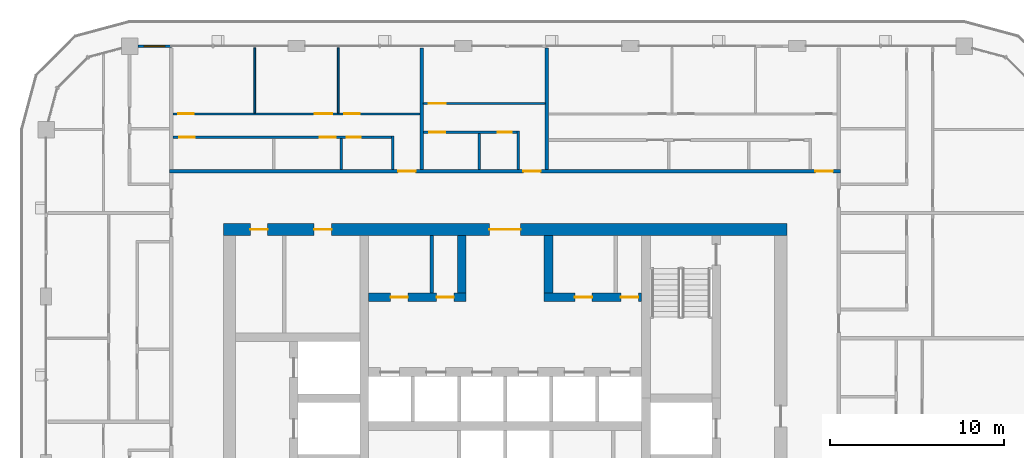
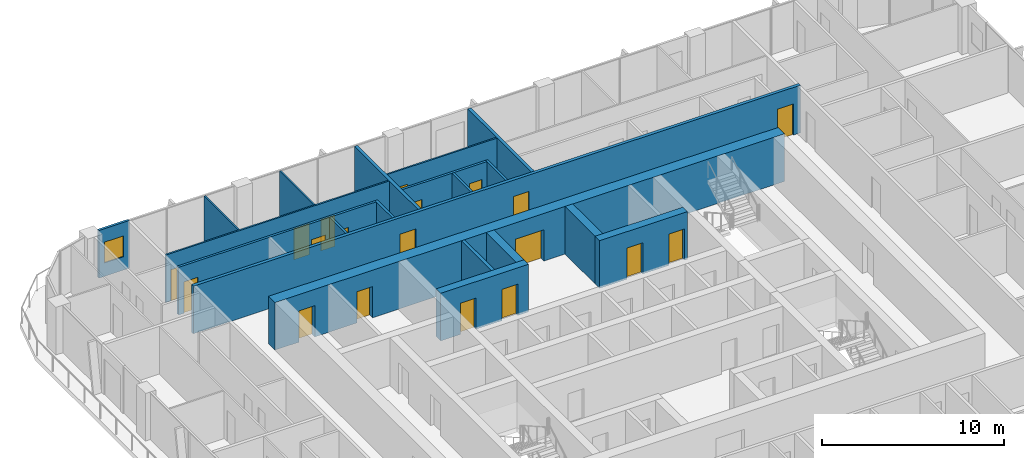
# One storey, part 14 of 22: 20 walls, 19 doors, 1 window, 20 openings.
"""IFC4 building model written with IfcOpenShell, lengths in metres."""

from ifc_helpers import new_model, si_unit, direction, frame, frame_2d, origin, place, context, subcontext, project, spatial, rectangle, extrude, material, layer, layer_set, type_object, element, fill, save


model = new_model("IFC4")

# Units and contexts
model_context = context("Model", 3, precision=1e-05, world=origin(), true_north=direction((0.0, 1.0)))
body_context = subcontext(model_context, "Body", "Model", "MODEL_VIEW")
ifc_project = project(units=[si_unit("LENGTHUNIT", "METRE"), si_unit("AREAUNIT", "SQUARE_METRE"), si_unit("VOLUMEUNIT", "CUBIC_METRE"), si_unit("PLANEANGLEUNIT", "RADIAN"), si_unit("MASSUNIT", "GRAM", prefix="KILO")], contexts=[model_context])

# Site, building, storey
site_placement = place(None, origin())
site = spatial("IfcSite", under=ifc_project, at=site_placement, CompositionType="ELEMENT")
building_placement = place(site_placement, origin())
building = spatial("IfcBuilding", under=site, at=building_placement, Name="Madar Terraces", CompositionType="ELEMENT")
storey_placement = place(building_placement, frame((0.0, 0.0, 182.39990234375)))
storey = spatial("IfcBuildingStorey", under=building, at=storey_placement, Name="L47", CompositionType="ELEMENT", Elevation=182.39990234375)

# Wall, openings, doors
ifc_material_1 = material(Name="Concrete C60/75", Category="concrete")
ifc_layer_1 = layer(ifc_material_1, 0.5)
ifc_layer_set_1 = layer_set([ifc_layer_1], Name="Concrete C60/75 (CIW4 RC wall 500)")
wall_type_1 = type_object("IfcWallType", Name="CIW4 RC wall 500", PredefinedType="SHEAR", material=ifc_layer_set_1)
wall_1_placement = place(storey_placement, frame((23.35009765625, 33.550048828125, 0.0), z_axis=(0.0, 0.0, 1.0), x_axis=(1.0, 0.0, 0.0)))
wall_1 = element("IfcWall", 1, at=wall_1_placement, inside=storey, type_object=wall_type_1, Name="CORE SHAFT WALL", PredefinedType="SHEAR", context=body_context, shape_type="SweptSolid", body=[
    extrude(rectangle(XDim=5.599853515625, YDim=0.5, at=frame_2d((2.7998046875, 0.0))), origin(), (0.0, 0.0, 1.0), 3.2001953125),
])
opening_1_placement = place(wall_1_placement, frame((1.260498046875, 0.0, 0.0)))
opening_1 = element("IfcOpeningElement", 2, at=opening_1_placement, cuts=wall_1, Name="Opening KD2", PredefinedType="OPENING", context=body_context, shape_type="SweptSolid", body=[
    extrude(rectangle(XDim=1.0, YDim=2.10009765625, at=frame_2d((0.5, 1.050048828125))), frame((0.0, 0.260009765625, 0.0), z_axis=(0.0, -1.0, 0.0), x_axis=(1.0, 0.0, 0.0)), (0.0, 0.0, 1.0), 0.52001953125),
])
opening_2_placement = place(wall_1_placement, frame((3.910400390625, 0.0, 0.0)))
opening_2 = element("IfcOpeningElement", 3, at=opening_2_placement, cuts=wall_1, Name="Opening KD2", PredefinedType="OPENING", context=body_context, shape_type="SweptSolid", body=[
    extrude(rectangle(XDim=1.0, YDim=2.10009765625, at=frame_2d((0.5, 1.050048828125))), frame((0.0, 0.260009765625, 0.0), z_axis=(0.0, -1.0, 0.0), x_axis=(1.0, 0.0, 0.0)), (0.0, 0.0, 1.0), 0.52001953125),
])
ifc_material_2 = material(Name="Steel door leaf", Category="steel")
door_type_1 = type_object("IfcDoorType", Name="Service room door 1000 x 2100", OperationType="NOTDEFINED", PredefinedType="DOOR", material=ifc_material_2)
door_1_placement = place(opening_1_placement, frame((1.0, 0.0, 0.0), z_axis=(0.0, 0.0, 1.0), x_axis=(-1.0, 0.0, 0.0)))
door_1 = element("IfcDoor", 4, at=door_1_placement, inside=storey, type_object=door_type_1, Name="SERVICE ROOM DOOR", OperationType="SINGLE_SWING_LEFT", OverallHeight=2.10009765625, OverallWidth=1.0, PredefinedType="DOOR", context=body_context, shape_type="SweptSolid", body=[
    extrude(rectangle(XDim=1.0, YDim=2.10009765625, at=frame_2d((0.5, 1.050048828125))), frame((0.0, 0.02490234375, 0.0), z_axis=(0.0, -1.0, 0.0), x_axis=(1.0, 0.0, 0.0)), (0.0, 0.0, 1.0), 0.050048828125),
])
fill(opening_1, door_1)
door_2_placement = place(opening_2_placement, frame((1.0, 0.0, 0.0), z_axis=(0.0, 0.0, 1.0), x_axis=(-1.0, 0.0, 0.0)))
door_2 = element("IfcDoor", 5, at=door_2_placement, inside=storey, type_object=door_type_1, Name="SERVICE ROOM DOOR", OperationType="SINGLE_SWING_RIGHT", OverallHeight=2.10009765625, OverallWidth=1.0, PredefinedType="DOOR", context=body_context, shape_type="SweptSolid", body=[
    extrude(rectangle(XDim=1.0, YDim=2.10009765625, at=frame_2d((0.5, 1.050048828125))), frame((0.0, 0.02490234375, 0.0), z_axis=(0.0, -1.0, 0.0), x_axis=(1.0, 0.0, 0.0)), (0.0, 0.0, 1.0), 0.050048828125),
])
fill(opening_2, door_2)

wall_2_placement = place(storey_placement, frame((33.449951171875, 33.550048828125, 0.0), z_axis=(0.0, 0.0, 1.0), x_axis=(1.0, 0.0, 0.0)))
wall_2 = element("IfcWall", 6, at=wall_2_placement, inside=storey, type_object=wall_type_1, Name="CORE SHAFT WALL", PredefinedType="SHEAR", context=body_context, shape_type="SweptSolid", body=[
    extrude(rectangle(XDim=5.60009765625, YDim=0.5, at=frame_2d((2.800048828125, 0.0))), origin(), (0.0, 0.0, 1.0), 3.2001953125),
])
opening_3_placement = place(wall_2_placement, frame((1.760498046875, 0.0, 0.0)))
opening_3 = element("IfcOpeningElement", 7, at=opening_3_placement, cuts=wall_2, Name="Opening KD2", PredefinedType="OPENING", context=body_context, shape_type="SweptSolid", body=[
    extrude(rectangle(XDim=1.0, YDim=2.10009765625, at=frame_2d((0.5, 1.050048828125))), frame((0.0, 0.260009765625, 0.0), z_axis=(0.0, -1.0, 0.0), x_axis=(1.0, 0.0, 0.0)), (0.0, 0.0, 1.0), 0.52001953125),
])
opening_4_placement = place(wall_2_placement, frame((4.410400390625, 0.0, 0.0)))
opening_4 = element("IfcOpeningElement", 8, at=opening_4_placement, cuts=wall_2, Name="Opening KD2", PredefinedType="OPENING", context=body_context, shape_type="SweptSolid", body=[
    extrude(rectangle(XDim=1.0, YDim=2.10009765625, at=frame_2d((0.5, 1.050048828125))), frame((0.0, 0.260009765625, 0.0), z_axis=(0.0, -1.0, 0.0), x_axis=(1.0, 0.0, 0.0)), (0.0, 0.0, 1.0), 0.52001953125),
])
door_3_placement = place(opening_3_placement, frame((1.0, 0.0, 0.0), z_axis=(0.0, 0.0, 1.0), x_axis=(-1.0, 0.0, 0.0)))
door_3 = element("IfcDoor", 9, at=door_3_placement, inside=storey, type_object=door_type_1, Name="SERVICE ROOM DOOR", OperationType="SINGLE_SWING_LEFT", OverallHeight=2.10009765625, OverallWidth=1.0, PredefinedType="DOOR", context=body_context, shape_type="SweptSolid", body=[
    extrude(rectangle(XDim=1.0, YDim=2.10009765625, at=frame_2d((0.5, 1.050048828125))), frame((0.0, 0.02490234375, 0.0), z_axis=(0.0, -1.0, 0.0), x_axis=(1.0, 0.0, 0.0)), (0.0, 0.0, 1.0), 0.050048828125),
])
fill(opening_3, door_3)
door_4_placement = place(opening_4_placement, frame((1.0, 0.0, 0.0), z_axis=(0.0, 0.0, 1.0), x_axis=(-1.0, 0.0, 0.0)))
door_4 = element("IfcDoor", 10, at=door_4_placement, inside=storey, type_object=door_type_1, Name="SERVICE ROOM DOOR", OperationType="SINGLE_SWING_RIGHT", OverallHeight=2.10009765625, OverallWidth=1.0, PredefinedType="DOOR", context=body_context, shape_type="SweptSolid", body=[
    extrude(rectangle(XDim=1.0, YDim=2.10009765625, at=frame_2d((0.5, 1.050048828125))), frame((0.0, 0.02490234375, 0.0), z_axis=(0.0, -1.0, 0.0), x_axis=(1.0, 0.0, 0.0)), (0.0, 0.0, 1.0), 0.050048828125),
])
fill(opening_4, door_4)

# Walls
for number, where, z_axis, x_axis, name in (
    (11, (28.699951171875, 33.800048828125, 0.0), (0.0, 0.0, 1.0), (0.0, 1.0, 0.0), "CORE SHAFT WALL"),
    (12, (33.699951171875, 33.800048828125, 0.0), (0.0, 0.0, 1.0), (0.0, 1.0, 0.0), "CORE SHAFT WALL"),
):
    element("IfcWall", number, at=place(storey_placement, frame(where, z_axis=z_axis, x_axis=x_axis)), inside=storey, type_object=wall_type_1, Name=name, PredefinedType="SHEAR", context=body_context, shape_type="SweptSolid", body=[
        extrude(rectangle(XDim=3.300048828125, YDim=0.5, at=frame_2d((1.64990234375, 0.0))), origin(), (0.0, 0.0, 1.0), 3.2001953125),
    ])

# Wall, openings, doors
ifc_material_3 = material(Name="Concrete C60/75", Category="concrete")
ifc_layer_2 = layer(ifc_material_3, 0.699951171875)
ifc_layer_set_2 = layer_set([ifc_layer_2], Name="Concrete C60/75 (CRW4 RC wall 700)")
wall_type_2 = type_object("IfcWallType", Name="CRW4 RC wall 700", PredefinedType="SHEAR", material=ifc_layer_set_2)
wall_3_placement = place(storey_placement, frame((15.0, 37.449951171875, 0.0), z_axis=(0.0, 0.0, 1.0), x_axis=(1.0, 0.0, 0.0)))
wall_3 = element("IfcWall", 13, at=wall_3_placement, inside=storey, type_object=wall_type_2, Name="CORE OUTER WALL", PredefinedType="SHEAR", context=body_context, shape_type="SweptSolid", body=[
    extrude(rectangle(XDim=32.39990234375, YDim=0.699951171875, at=frame_2d((16.199951171875, 0.0))), origin(), (0.0, 0.0, 1.0), 3.2001953125),
])
opening_5_placement = place(wall_3_placement, frame((15.300048828125, 0.0, 0.0)))
opening_5 = element("IfcOpeningElement", 14, at=opening_5_placement, cuts=wall_3, Name="Opening KD1", PredefinedType="OPENING", context=body_context, shape_type="SweptSolid", body=[
    extrude(rectangle(XDim=1.800048828125, YDim=2.10009765625, at=frame_2d((0.89990234375, 1.050048828125))), frame((0.0, 0.35986328125, 0.0), z_axis=(0.0, -1.0, 0.0), x_axis=(1.0, 0.0, 0.0)), (0.0, 0.0, 1.0), 0.719970703125),
])
opening_6_placement = place(wall_3_placement, frame((1.544189453125, 0.0, 0.0)))
opening_6 = element("IfcOpeningElement", 15, at=opening_6_placement, cuts=wall_3, Name="Opening KD2", PredefinedType="OPENING", context=body_context, shape_type="SweptSolid", body=[
    extrude(rectangle(XDim=1.0, YDim=2.10009765625, at=frame_2d((0.5, 1.050048828125))), frame((0.0, 0.35986328125, 0.0), z_axis=(0.0, -1.0, 0.0), x_axis=(1.0, 0.0, 0.0)), (0.0, 0.0, 1.0), 0.719970703125),
])
opening_7_placement = place(wall_3_placement, frame((5.21923828125, 0.0, 0.0)))
opening_7 = element("IfcOpeningElement", 16, at=opening_7_placement, cuts=wall_3, Name="Opening KD2", PredefinedType="OPENING", context=body_context, shape_type="SweptSolid", body=[
    extrude(rectangle(XDim=1.0, YDim=2.10009765625, at=frame_2d((0.5, 1.050048828125))), frame((0.0, 0.35986328125, 0.0), z_axis=(0.0, -1.0, 0.0), x_axis=(1.0, 0.0, 0.0)), (0.0, 0.0, 1.0), 0.719970703125),
])
ifc_material_4 = material(Name="Steel door leaf", Category="steel")
door_type_2 = type_object("IfcDoorType", Name="Lobby door pair 1800 x 2100", OperationType="DOUBLE_DOOR_SINGLE_SWING", PredefinedType="DOOR", material=ifc_material_4)
door_5_placement = place(opening_5_placement, origin())
door_5 = element("IfcDoor", 17, at=door_5_placement, inside=storey, type_object=door_type_2, Name="LIFT LOBBY DOOR", OperationType="DOUBLE_DOOR_SINGLE_SWING", OverallHeight=2.10009765625, OverallWidth=1.800048828125, PredefinedType="DOOR", context=body_context, shape_type="SweptSolid", body=[
    extrude(rectangle(XDim=1.800048828125, YDim=2.10009765625, at=frame_2d((0.89990234375, 1.050048828125))), frame((0.0, 0.02490234375, 0.0), z_axis=(0.0, -1.0, 0.0), x_axis=(1.0, 0.0, 0.0)), (0.0, 0.0, 1.0), 0.050048828125),
])
fill(opening_5, door_5)
door_6_placement = place(opening_6_placement, origin())
door_6 = element("IfcDoor", 18, at=door_6_placement, inside=storey, type_object=door_type_1, Name="SERVICE ROOM DOOR", OperationType="SINGLE_SWING_RIGHT", OverallHeight=2.10009765625, OverallWidth=1.0, PredefinedType="DOOR", context=body_context, shape_type="SweptSolid", body=[
    extrude(rectangle(XDim=1.0, YDim=2.10009765625, at=frame_2d((0.5, 1.050048828125))), frame((0.0, 0.02490234375, 0.0), z_axis=(0.0, -1.0, 0.0), x_axis=(1.0, 0.0, 0.0)), (0.0, 0.0, 1.0), 0.050048828125),
])
fill(opening_6, door_6)
door_7_placement = place(opening_7_placement, origin())
door_7 = element("IfcDoor", 19, at=door_7_placement, inside=storey, type_object=door_type_1, Name="SERVICE ROOM DOOR", OperationType="SINGLE_SWING_LEFT", OverallHeight=2.10009765625, OverallWidth=1.0, PredefinedType="DOOR", context=body_context, shape_type="SweptSolid", body=[
    extrude(rectangle(XDim=1.0, YDim=2.10009765625, at=frame_2d((0.5, 1.050048828125))), frame((0.0, 0.02490234375, 0.0), z_axis=(0.0, -1.0, 0.0), x_axis=(1.0, 0.0, 0.0)), (0.0, 0.0, 1.0), 0.050048828125),
])
fill(opening_7, door_7)

# Wall
ifc_material_5 = material(Name="Masonry blockwork", Category="masonry")
ifc_layer_3 = layer(ifc_material_5, 0.199951171875)
ifc_layer_set_3 = layer_set([ifc_layer_3], Name="Core partition 200 blockwork")
wall_type_3 = type_object("IfcWallType", Name="Core partition 200 blockwork", PredefinedType="PARTITIONING", material=ifc_layer_set_3)
wall_4_placement = place(storey_placement, frame((26.970947265625, 33.800048828125, 0.0), z_axis=(0.0, 0.0, 1.0), x_axis=(0.0, 1.0, 0.0)))
element("IfcWall", 20, at=wall_4_placement, inside=storey, type_object=wall_type_3, Name="SERVICE ROOM PARTITION", PredefinedType="PARTITIONING", context=body_context, shape_type="SweptSolid", body=[
    extrude(rectangle(XDim=3.300048828125, YDim=0.199951171875, at=frame_2d((1.64990234375, 0.0))), origin(), (0.0, 0.0, 1.0), 3.2001953125),
])

# Wall, opening, window
ifc_material_6 = material(Name="Aluminium composite panel, black, over insulated backing", Category="aluminium")
ifc_layer_4 = layer(ifc_material_6, 0.14990234375)
ifc_layer_set_4 = layer_set([ifc_layer_4], Name="Facade bay panel 150")
wall_type_4 = type_object("IfcWallType", Name="Facade bay panel 150", PredefinedType="SOLIDWALL", material=ifc_layer_set_4)
wall_5_placement = place(storey_placement, frame((12.0, 48.0, 0.0), z_axis=(0.0, 0.0, 1.0), x_axis=(-1.0, 0.0, 0.0)))
wall_5 = element("IfcWall", 21, at=wall_5_placement, inside=storey, type_object=wall_type_4, Name="Facade bay panel", PredefinedType="SOLIDWALL", context=body_context, shape_type="SweptSolid", body=[
    extrude(rectangle(XDim=1.925048828125, YDim=0.14990234375, at=frame_2d((0.96240234375, 0.0))), origin(), (0.0, 0.0, 1.0), 3.2001953125),
])
opening_8_placement = place(wall_5_placement, frame((0.362548828125, 0.0, 0.89990234375)))
opening_8 = element("IfcOpeningElement", 22, at=opening_8_placement, cuts=wall_5, Name="Opening W1", PredefinedType="OPENING", context=body_context, shape_type="SweptSolid", body=[
    extrude(rectangle(XDim=1.199951171875, YDim=1.39990234375, at=frame_2d((0.60009765625, 0.699951171875))), frame((0.0, 0.0849609375, 0.0), z_axis=(0.0, -1.0, 0.0), x_axis=(1.0, 0.0, 0.0)), (0.0, 0.0, 1.0), 0.169921875),
])
ifc_material_7 = material(Name="Glass, clear, with black aluminium frame", Category="aluminium")
window_type = type_object("IfcWindowType", Name="Vent window 1200 x 1400", PartitioningType="SINGLE_PANEL", PredefinedType="WINDOW", material=ifc_material_7)
window_placement = place(opening_8_placement, origin())
window = element("IfcWindow", 23, at=window_placement, inside=storey, type_object=window_type, Name="Operable vent window", OverallHeight=1.39990234375, OverallWidth=1.199951171875, PartitioningType="SINGLE_PANEL", PredefinedType="WINDOW", context=body_context, shape_type="SweptSolid", body=[
    extrude(rectangle(XDim=1.199951171875, YDim=1.39990234375, at=frame_2d((0.60009765625, 0.699951171875))), frame((0.0, 0.030029296875, 0.0), z_axis=(0.0, -1.0, 0.0), x_axis=(1.0, 0.0, 0.0)), (0.0, 0.0, 1.0), 0.06005859375),
])
fill(opening_8, window)

# Wall, opening, door
ifc_material_8 = material(Name="Gypsum board on steel studs", Category="steel")
ifc_layer_5 = layer(ifc_material_8, 0.10009765625)
ifc_layer_set_5 = layer_set([ifc_layer_5], Name="Flat partition 100")
wall_type_5 = type_object("IfcWallType", Name="Flat partition 100", PredefinedType="PARTITIONING", material=ifc_layer_set_5)
wall_6_placement = place(storey_placement, frame((26.5, 44.699951171875, 0.0), z_axis=(0.0, 0.0, 1.0), x_axis=(1.0, 0.0, 0.0)))
wall_6 = element("IfcWall", 24, at=wall_6_placement, inside=storey, type_object=wall_type_5, Name="Flat partition 100", PredefinedType="PARTITIONING", context=body_context, shape_type="SweptSolid", body=[
    extrude(rectangle(XDim=7.0, YDim=0.10009765625, at=frame_2d((3.5, 0.0))), origin(), (0.0, 0.0, 1.0), 3.2001953125),
])
opening_9_placement = place(wall_6_placement, frame((0.300048828125, 0.0, 0.0)))
opening_9 = element("IfcOpeningElement", 25, at=opening_9_placement, cuts=wall_6, Name="Opening D3", PredefinedType="OPENING", context=body_context, shape_type="SweptSolid", body=[
    extrude(rectangle(XDim=1.0, YDim=2.10009765625, at=frame_2d((0.5, 1.050048828125))), frame((0.0, 0.06005859375, 0.0), z_axis=(0.0, -1.0, 0.0), x_axis=(1.0, 0.0, 0.0)), (0.0, 0.0, 1.0), 0.1201171875),
])
ifc_material_9 = material(Name="Timber door leaf", Category="wood")
door_type_3 = type_object("IfcDoorType", Name="Flat living room door 1000", OperationType="NOTDEFINED", PredefinedType="DOOR", material=ifc_material_9)
door_8_placement = place(opening_9_placement, origin())
door_8 = element("IfcDoor", 26, at=door_8_placement, inside=storey, type_object=door_type_3, Name="Flat living room door 1000", OperationType="SINGLE_SWING_LEFT", OverallHeight=2.10009765625, OverallWidth=1.0, PredefinedType="DOOR", context=body_context, shape_type="SweptSolid", body=[
    extrude(rectangle(XDim=1.0, YDim=2.10009765625, at=frame_2d((0.5, 1.050048828125))), frame((0.0, 0.02490234375, 0.0), z_axis=(0.0, -1.0, 0.0), x_axis=(1.0, 0.0, 0.0)), (0.0, 0.0, 1.0), 0.050048828125),
])
fill(opening_9, door_8)

# Walls
for number, where, z_axis, x_axis, name in (
    (27, (21.60009765625, 44.14990234375, 0.0), (0.0, 0.0, 1.0), (0.0, 1.0, 0.0), "Flat partition 100"),
    (28, (16.800048828125, 44.14990234375, 0.0), (0.0, 0.0, 1.0), (0.0, 1.0, 0.0), "Flat partition 100"),
):
    element("IfcWall", number, at=place(storey_placement, frame(where, z_axis=z_axis, x_axis=x_axis)), inside=storey, type_object=wall_type_5, Name=name, PredefinedType="PARTITIONING", context=body_context, shape_type="SweptSolid", body=[
        extrude(rectangle(XDim=3.75, YDim=0.10009765625, at=frame_2d((1.875, 0.0))), origin(), (0.0, 0.0, 1.0), 3.2001953125),
    ])

# Wall, openings, doors
wall_7_placement = place(storey_placement, frame((12.10009765625, 44.10009765625, 0.0), z_axis=(0.0, 0.0, 1.0), x_axis=(1.0, 0.0, 0.0)))
wall_7 = element("IfcWall", 29, at=wall_7_placement, inside=storey, type_object=wall_type_5, Name="Flat partition 100", PredefinedType="PARTITIONING", context=body_context, shape_type="SweptSolid", body=[
    extrude(rectangle(XDim=14.199951171875, YDim=0.10009765625, at=frame_2d((7.10009765625, 0.0))), origin(), (0.0, 0.0, 1.0), 3.2001953125),
])
opening_10_placement = place(wall_7_placement, frame((9.85009765625, 0.0, 0.0)))
opening_10 = element("IfcOpeningElement", 30, at=opening_10_placement, cuts=wall_7, Name="Opening D2", PredefinedType="OPENING", context=body_context, shape_type="SweptSolid", body=[
    extrude(rectangle(XDim=0.89990234375, YDim=2.10009765625, at=frame_2d((0.449951171875, 1.050048828125))), frame((0.0, 0.06005859375, 0.0), z_axis=(0.0, -1.0, 0.0), x_axis=(1.0, 0.0, 0.0)), (0.0, 0.0, 1.0), 0.1201171875),
])
opening_11_placement = place(wall_7_placement, frame((8.14990234375, 0.0, 0.0)))
opening_11 = element("IfcOpeningElement", 31, at=opening_11_placement, cuts=wall_7, Name="Opening D3", PredefinedType="OPENING", context=body_context, shape_type="SweptSolid", body=[
    extrude(rectangle(XDim=1.0, YDim=2.10009765625, at=frame_2d((0.5, 1.050048828125))), frame((0.0, 0.06005859375, 0.0), z_axis=(0.0, -1.0, 0.0), x_axis=(1.0, 0.0, 0.0)), (0.0, 0.0, 1.0), 0.1201171875),
])
opening_12_placement = place(wall_7_placement, frame((0.300048828125, 0.0, 0.0)))
opening_12 = element("IfcOpeningElement", 32, at=opening_12_placement, cuts=wall_7, Name="Opening D2", PredefinedType="OPENING", context=body_context, shape_type="SweptSolid", body=[
    extrude(rectangle(XDim=0.89990234375, YDim=2.10009765625, at=frame_2d((0.449951171875, 1.050048828125))), frame((0.0, 0.06005859375, 0.0), z_axis=(0.0, -1.0, 0.0), x_axis=(1.0, 0.0, 0.0)), (0.0, 0.0, 1.0), 0.1201171875),
])
door_9_placement = place(opening_11_placement, origin())
door_9 = element("IfcDoor", 33, at=door_9_placement, inside=storey, type_object=door_type_3, Name="Flat living room door 1000", OperationType="SINGLE_SWING_RIGHT", OverallHeight=2.10009765625, OverallWidth=1.0, PredefinedType="DOOR", context=body_context, shape_type="SweptSolid", body=[
    extrude(rectangle(XDim=1.0, YDim=2.10009765625, at=frame_2d((0.5, 1.050048828125))), frame((0.0, 0.02490234375, 0.0), z_axis=(0.0, -1.0, 0.0), x_axis=(1.0, 0.0, 0.0)), (0.0, 0.0, 1.0), 0.050048828125),
])
fill(opening_11, door_9)
ifc_material_10 = material(Name="Timber door leaf", Category="wood")
door_type_4 = type_object("IfcDoorType", Name="Flat room door 900", OperationType="NOTDEFINED", PredefinedType="DOOR", material=ifc_material_10)
door_10_placement = place(opening_10_placement, origin())
door_10 = element("IfcDoor", 34, at=door_10_placement, inside=storey, type_object=door_type_4, Name="Flat room door 900", OperationType="SINGLE_SWING_LEFT", OverallHeight=2.10009765625, OverallWidth=0.89990234375, PredefinedType="DOOR", context=body_context, shape_type="SweptSolid", body=[
    extrude(rectangle(XDim=0.89990234375, YDim=2.10009765625, at=frame_2d((0.449951171875, 1.050048828125))), frame((0.0, 0.02490234375, 0.0), z_axis=(0.0, -1.0, 0.0), x_axis=(1.0, 0.0, 0.0)), (0.0, 0.0, 1.0), 0.050048828125),
])
fill(opening_10, door_10)
door_11_placement = place(opening_12_placement, origin())
door_11 = element("IfcDoor", 35, at=door_11_placement, inside=storey, type_object=door_type_4, Name="Flat room door 900", OperationType="SINGLE_SWING_LEFT", OverallHeight=2.10009765625, OverallWidth=0.89990234375, PredefinedType="DOOR", context=body_context, shape_type="SweptSolid", body=[
    extrude(rectangle(XDim=0.89990234375, YDim=2.10009765625, at=frame_2d((0.449951171875, 1.050048828125))), frame((0.0, 0.02490234375, 0.0), z_axis=(0.0, -1.0, 0.0), x_axis=(1.0, 0.0, 0.0)), (0.0, 0.0, 1.0), 0.050048828125),
])
fill(opening_12, door_11)

ifc_material_11 = material(Name="Lightweight blockwork", Category="masonry")
ifc_layer_6 = layer(ifc_material_11, 0.199951171875)
ifc_layer_set_6 = layer_set([ifc_layer_6], Name="Flat party and entrance wall 200")
wall_type_6 = type_object("IfcWallType", Name="Flat party and entrance wall 200", PredefinedType="PARTITIONING", material=ifc_layer_set_6)
wall_8_placement = place(storey_placement, frame((11.89990234375, 40.800048828125, 0.0), z_axis=(0.0, 0.0, 1.0), x_axis=(1.0, 0.0, 0.0)))
wall_8 = element("IfcWall", 36, at=wall_8_placement, inside=storey, type_object=wall_type_6, Name="Flat party and entrance wall 200", PredefinedType="PARTITIONING", context=body_context, shape_type="SweptSolid", body=[
    extrude(rectangle(XDim=38.60009765625, YDim=0.199951171875, at=frame_2d((19.300048828125, 0.0))), origin(), (0.0, 0.0, 1.0), 3.2001953125),
])
opening_13_placement = place(wall_8_placement, frame((37.14990234375, 0.0, 0.0)))
opening_13 = element("IfcOpeningElement", 37, at=opening_13_placement, cuts=wall_8, Name="Opening D1", PredefinedType="OPENING", context=body_context, shape_type="SweptSolid", body=[
    extrude(rectangle(XDim=1.0, YDim=2.10009765625, at=frame_2d((0.5, 1.050048828125))), frame((0.0, 0.10986328125, 0.0), z_axis=(0.0, -1.0, 0.0), x_axis=(1.0, 0.0, 0.0)), (0.0, 0.0, 1.0), 0.219970703125),
])
opening_14_placement = place(wall_8_placement, frame((20.35009765625, 0.0, 0.0)))
opening_14 = element("IfcOpeningElement", 38, at=opening_14_placement, cuts=wall_8, Name="Opening D1", PredefinedType="OPENING", context=body_context, shape_type="SweptSolid", body=[
    extrude(rectangle(XDim=1.0, YDim=2.10009765625, at=frame_2d((0.5, 1.050048828125))), frame((0.0, 0.10986328125, 0.0), z_axis=(0.0, -1.0, 0.0), x_axis=(1.0, 0.0, 0.0)), (0.0, 0.0, 1.0), 0.219970703125),
])
opening_15_placement = place(wall_8_placement, frame((13.14990234375, 0.0, 0.0)))
opening_15 = element("IfcOpeningElement", 39, at=opening_15_placement, cuts=wall_8, Name="Opening D1", PredefinedType="OPENING", context=body_context, shape_type="SweptSolid", body=[
    extrude(rectangle(XDim=1.0, YDim=2.10009765625, at=frame_2d((0.5, 1.050048828125))), frame((0.0, 0.10986328125, 0.0), z_axis=(0.0, -1.0, 0.0), x_axis=(1.0, 0.0, 0.0)), (0.0, 0.0, 1.0), 0.219970703125),
])
ifc_material_12 = material(Name="Timber fire door leaf", Category="wood")
door_type_5 = type_object("IfcDoorType", Name="Flat entrance door 1000 FD30S", OperationType="NOTDEFINED", PredefinedType="DOOR", material=ifc_material_12)
door_12_placement = place(opening_13_placement, origin())
door_12 = element("IfcDoor", 40, at=door_12_placement, inside=storey, type_object=door_type_5, Name="Flat entrance door 1000 FD30S", OperationType="SINGLE_SWING_RIGHT", OverallHeight=2.10009765625, OverallWidth=1.0, PredefinedType="DOOR", context=body_context, shape_type="SweptSolid", body=[
    extrude(rectangle(XDim=1.0, YDim=2.10009765625, at=frame_2d((0.5, 1.050048828125))), frame((0.0, 0.02490234375, 0.0), z_axis=(0.0, -1.0, 0.0), x_axis=(1.0, 0.0, 0.0)), (0.0, 0.0, 1.0), 0.050048828125),
])
fill(opening_13, door_12)
door_13_placement = place(opening_14_placement, origin())
door_13 = element("IfcDoor", 41, at=door_13_placement, inside=storey, type_object=door_type_5, Name="Flat entrance door 1000 FD30S", OperationType="SINGLE_SWING_RIGHT", OverallHeight=2.10009765625, OverallWidth=1.0, PredefinedType="DOOR", context=body_context, shape_type="SweptSolid", body=[
    extrude(rectangle(XDim=1.0, YDim=2.10009765625, at=frame_2d((0.5, 1.050048828125))), frame((0.0, 0.02490234375, 0.0), z_axis=(0.0, -1.0, 0.0), x_axis=(1.0, 0.0, 0.0)), (0.0, 0.0, 1.0), 0.050048828125),
])
fill(opening_14, door_13)
door_14_placement = place(opening_15_placement, origin())
door_14 = element("IfcDoor", 42, at=door_14_placement, inside=storey, type_object=door_type_5, Name="Flat entrance door 1000 FD30S", OperationType="SINGLE_SWING_RIGHT", OverallHeight=2.10009765625, OverallWidth=1.0, PredefinedType="DOOR", context=body_context, shape_type="SweptSolid", body=[
    extrude(rectangle(XDim=1.0, YDim=2.10009765625, at=frame_2d((0.5, 1.050048828125))), frame((0.0, 0.02490234375, 0.0), z_axis=(0.0, -1.0, 0.0), x_axis=(1.0, 0.0, 0.0)), (0.0, 0.0, 1.0), 0.050048828125),
])
fill(opening_15, door_14)

# Walls
for number, where, z_axis, x_axis, name in (
    (43, (33.60009765625, 47.89990234375, 0.0), (0.0, 0.0, 1.0), (0.0, -1.0, 0.0), "Flat party and entrance wall 200"),
    (44, (26.39990234375, 47.89990234375, 0.0), (0.0, 0.0, 1.0), (0.0, -1.0, 0.0), "Flat party and entrance wall 200"),
):
    element("IfcWall", number, at=place(storey_placement, frame(where, z_axis=z_axis, x_axis=x_axis)), inside=storey, type_object=wall_type_6, Name=name, PredefinedType="PARTITIONING", context=body_context, shape_type="SweptSolid", body=[
        extrude(rectangle(XDim=7.0, YDim=0.199951171875, at=frame_2d((3.5, 0.0))), origin(), (0.0, 0.0, 1.0), 3.2001953125),
    ])
ifc_material_13 = material(Name="Lightweight blockwork", Category="masonry")
ifc_layer_7 = layer(ifc_material_13, 0.14990234375)
ifc_layer_set_7 = layer_set([ifc_layer_7], Name="Flat wet-room partition 150")
wall_type_7 = type_object("IfcWallType", Name="Flat wet-room partition 150", PredefinedType="PARTITIONING", material=ifc_layer_set_7)
wall_9_placement = place(storey_placement, frame((29.72509765625, 40.89990234375, 0.0), z_axis=(0.0, 0.0, 1.0), x_axis=(0.0, 1.0, 0.0)))
element("IfcWall", 45, at=wall_9_placement, inside=storey, type_object=wall_type_7, Name="Flat wet-room partition 150", PredefinedType="PARTITIONING", context=body_context, shape_type="SweptSolid", body=[
    extrude(rectangle(XDim=2.0751953125, YDim=0.14990234375, at=frame_2d((1.03759765625, 0.0))), origin(), (0.0, 0.0, 1.0), 3.2001953125),
])
wall_10_placement = place(storey_placement, frame((31.949951171875, 40.89990234375, 0.0), z_axis=(0.0, 0.0, 1.0), x_axis=(0.0, 1.0, 0.0)))
element("IfcWall", 46, at=wall_10_placement, inside=storey, type_object=wall_type_7, Name="Flat wet-room partition 150", PredefinedType="PARTITIONING", context=body_context, shape_type="SweptSolid", body=[
    extrude(rectangle(XDim=2.22509765625, YDim=0.14990234375, at=frame_2d((1.112548828125, 0.0))), origin(), (0.0, 0.0, 1.0), 3.2001953125),
])

# Wall, openings, doors
wall_11_placement = place(storey_placement, frame((31.875, 43.050048828125, 0.0), z_axis=(0.0, 0.0, 1.0), x_axis=(-1.0, 0.0, 0.0)))
wall_11 = element("IfcWall", 47, at=wall_11_placement, inside=storey, type_object=wall_type_7, Name="Flat wet-room partition 150", PredefinedType="PARTITIONING", context=body_context, shape_type="SweptSolid", body=[
    extrude(rectangle(XDim=5.375, YDim=0.14990234375, at=frame_2d((2.6875, 0.0))), origin(), (0.0, 0.0, 1.0), 3.2001953125),
])
opening_16_placement = place(wall_11_placement, frame((0.300048828125, 0.0, 0.0)))
opening_16 = element("IfcOpeningElement", 48, at=opening_16_placement, cuts=wall_11, Name="Opening D4", PredefinedType="OPENING", context=body_context, shape_type="SweptSolid", body=[
    extrude(rectangle(XDim=0.800048828125, YDim=2.10009765625, at=frame_2d((0.39990234375, 1.050048828125))), frame((0.0, 0.0849609375, 0.0), z_axis=(0.0, -1.0, 0.0), x_axis=(1.0, 0.0, 0.0)), (0.0, 0.0, 1.0), 0.169921875),
])
opening_17_placement = place(wall_11_placement, frame((4.125, 0.0, 0.0)))
opening_17 = element("IfcOpeningElement", 49, at=opening_17_placement, cuts=wall_11, Name="Opening D2", PredefinedType="OPENING", context=body_context, shape_type="SweptSolid", body=[
    extrude(rectangle(XDim=0.89990234375, YDim=2.10009765625, at=frame_2d((0.449951171875, 1.050048828125))), frame((0.0, 0.0849609375, 0.0), z_axis=(0.0, -1.0, 0.0), x_axis=(1.0, 0.0, 0.0)), (0.0, 0.0, 1.0), 0.169921875),
])
ifc_material_14 = material(Name="Timber door leaf", Category="wood")
door_type_6 = type_object("IfcDoorType", Name="Flat bathroom door 800", OperationType="NOTDEFINED", PredefinedType="DOOR", material=ifc_material_14)
door_15_placement = place(opening_16_placement, origin())
door_15 = element("IfcDoor", 50, at=door_15_placement, inside=storey, type_object=door_type_6, Name="Flat bathroom door 800", OperationType="SINGLE_SWING_LEFT", OverallHeight=2.10009765625, OverallWidth=0.800048828125, PredefinedType="DOOR", context=body_context, shape_type="SweptSolid", body=[
    extrude(rectangle(XDim=0.800048828125, YDim=2.10009765625, at=frame_2d((0.39990234375, 1.050048828125))), frame((0.0, 0.02490234375, 0.0), z_axis=(0.0, -1.0, 0.0), x_axis=(1.0, 0.0, 0.0)), (0.0, 0.0, 1.0), 0.050048828125),
])
fill(opening_16, door_15)
door_16_placement = place(opening_17_placement, origin())
door_16 = element("IfcDoor", 51, at=door_16_placement, inside=storey, type_object=door_type_4, Name="Flat room door 900", OperationType="SINGLE_SWING_RIGHT", OverallHeight=2.10009765625, OverallWidth=0.89990234375, PredefinedType="DOOR", context=body_context, shape_type="SweptSolid", body=[
    extrude(rectangle(XDim=0.89990234375, YDim=2.10009765625, at=frame_2d((0.449951171875, 1.050048828125))), frame((0.0, 0.02490234375, 0.0), z_axis=(0.0, -1.0, 0.0), x_axis=(1.0, 0.0, 0.0)), (0.0, 0.0, 1.0), 0.050048828125),
])
fill(opening_17, door_16)

# Walls
wall_12_placement = place(storey_placement, frame((21.773193359375, 40.89990234375, 0.0), z_axis=(0.0, 0.0, 1.0), x_axis=(0.0, 1.0, 0.0)))
element("IfcWall", 52, at=wall_12_placement, inside=storey, type_object=wall_type_7, Name="Flat wet-room partition 150", PredefinedType="PARTITIONING", context=body_context, shape_type="SweptSolid", body=[
    extrude(rectangle(XDim=1.775146484375, YDim=0.14990234375, at=frame_2d((0.8876953125, 0.0))), origin(), (0.0, 0.0, 1.0), 3.2001953125),
])
wall_13_placement = place(storey_placement, frame((24.75, 40.89990234375, 0.0), z_axis=(0.0, 0.0, 1.0), x_axis=(0.0, 1.0, 0.0)))
element("IfcWall", 53, at=wall_13_placement, inside=storey, type_object=wall_type_7, Name="Flat wet-room partition 150", PredefinedType="PARTITIONING", context=body_context, shape_type="SweptSolid", body=[
    extrude(rectangle(XDim=1.925048828125, YDim=0.14990234375, at=frame_2d((0.96240234375, 0.0))), origin(), (0.0, 0.0, 1.0), 3.2001953125),
])

# Wall, openings, doors
wall_14_placement = place(storey_placement, frame((24.675048828125, 42.75, 0.0), z_axis=(0.0, 0.0, 1.0), x_axis=(-1.0, 0.0, 0.0)))
wall_14 = element("IfcWall", 54, at=wall_14_placement, inside=storey, type_object=wall_type_7, Name="Flat wet-room partition 150", PredefinedType="PARTITIONING", context=body_context, shape_type="SweptSolid", body=[
    extrude(rectangle(XDim=12.574951171875, YDim=0.14990234375, at=frame_2d((6.28759765625, 0.0))), origin(), (0.0, 0.0, 1.0), 3.2001953125),
])
opening_18_placement = place(wall_14_placement, frame((1.77685546875, 0.0, 0.0)))
opening_18 = element("IfcOpeningElement", 55, at=opening_18_placement, cuts=wall_14, Name="Opening D4", PredefinedType="OPENING", context=body_context, shape_type="SweptSolid", body=[
    extrude(rectangle(XDim=0.800048828125, YDim=2.10009765625, at=frame_2d((0.39990234375, 1.050048828125))), frame((0.0, 0.0849609375, 0.0), z_axis=(0.0, -1.0, 0.0), x_axis=(1.0, 0.0, 0.0)), (0.0, 0.0, 1.0), 0.169921875),
])
opening_19_placement = place(wall_14_placement, frame((3.226806640625, 0.0, 0.0)))
opening_19 = element("IfcOpeningElement", 56, at=opening_19_placement, cuts=wall_14, Name="Opening D5", PredefinedType="OPENING", context=body_context, shape_type="SweptSolid", body=[
    extrude(rectangle(XDim=0.89990234375, YDim=2.10009765625, at=frame_2d((0.449951171875, 1.050048828125))), frame((0.0, 0.0849609375, 0.0), z_axis=(0.0, -1.0, 0.0), x_axis=(1.0, 0.0, 0.0)), (0.0, 0.0, 1.0), 0.169921875),
])
opening_20_placement = place(wall_14_placement, frame((11.324951171875, 0.0, 0.0)))
opening_20 = element("IfcOpeningElement", 57, at=opening_20_placement, cuts=wall_14, Name="Opening D2", PredefinedType="OPENING", context=body_context, shape_type="SweptSolid", body=[
    extrude(rectangle(XDim=0.89990234375, YDim=2.10009765625, at=frame_2d((0.449951171875, 1.050048828125))), frame((0.0, 0.0849609375, 0.0), z_axis=(0.0, -1.0, 0.0), x_axis=(1.0, 0.0, 0.0)), (0.0, 0.0, 1.0), 0.169921875),
])
ifc_material_15 = material(Name="Timber door leaf", Category="wood")
door_type_7 = type_object("IfcDoorType", Name="Flat accessible bathroom door 900", OperationType="NOTDEFINED", PredefinedType="DOOR", material=ifc_material_15)
door_17_placement = place(opening_19_placement, origin())
door_17 = element("IfcDoor", 58, at=door_17_placement, inside=storey, type_object=door_type_7, Name="Flat accessible bathroom door 900", OperationType="SINGLE_SWING_LEFT", OverallHeight=2.10009765625, OverallWidth=0.89990234375, PredefinedType="DOOR", context=body_context, shape_type="SweptSolid", body=[
    extrude(rectangle(XDim=0.89990234375, YDim=2.10009765625, at=frame_2d((0.449951171875, 1.050048828125))), frame((0.0, 0.02490234375, 0.0), z_axis=(0.0, -1.0, 0.0), x_axis=(1.0, 0.0, 0.0)), (0.0, 0.0, 1.0), 0.050048828125),
])
fill(opening_19, door_17)
door_18_placement = place(opening_18_placement, origin())
door_18 = element("IfcDoor", 59, at=door_18_placement, inside=storey, type_object=door_type_6, Name="Flat bathroom door 800", OperationType="SINGLE_SWING_RIGHT", OverallHeight=2.10009765625, OverallWidth=0.800048828125, PredefinedType="DOOR", context=body_context, shape_type="SweptSolid", body=[
    extrude(rectangle(XDim=0.800048828125, YDim=2.10009765625, at=frame_2d((0.39990234375, 1.050048828125))), frame((0.0, 0.02490234375, 0.0), z_axis=(0.0, -1.0, 0.0), x_axis=(1.0, 0.0, 0.0)), (0.0, 0.0, 1.0), 0.050048828125),
])
fill(opening_18, door_18)
door_19_placement = place(opening_20_placement, origin())
door_19 = element("IfcDoor", 60, at=door_19_placement, inside=storey, type_object=door_type_4, Name="Flat room door 900", OperationType="SINGLE_SWING_RIGHT", OverallHeight=2.10009765625, OverallWidth=0.89990234375, PredefinedType="DOOR", context=body_context, shape_type="SweptSolid", body=[
    extrude(rectangle(XDim=0.89990234375, YDim=2.10009765625, at=frame_2d((0.449951171875, 1.050048828125))), frame((0.0, 0.02490234375, 0.0), z_axis=(0.0, -1.0, 0.0), x_axis=(1.0, 0.0, 0.0)), (0.0, 0.0, 1.0), 0.050048828125),
])
fill(opening_20, door_19)

save(model, "model.ifc")
